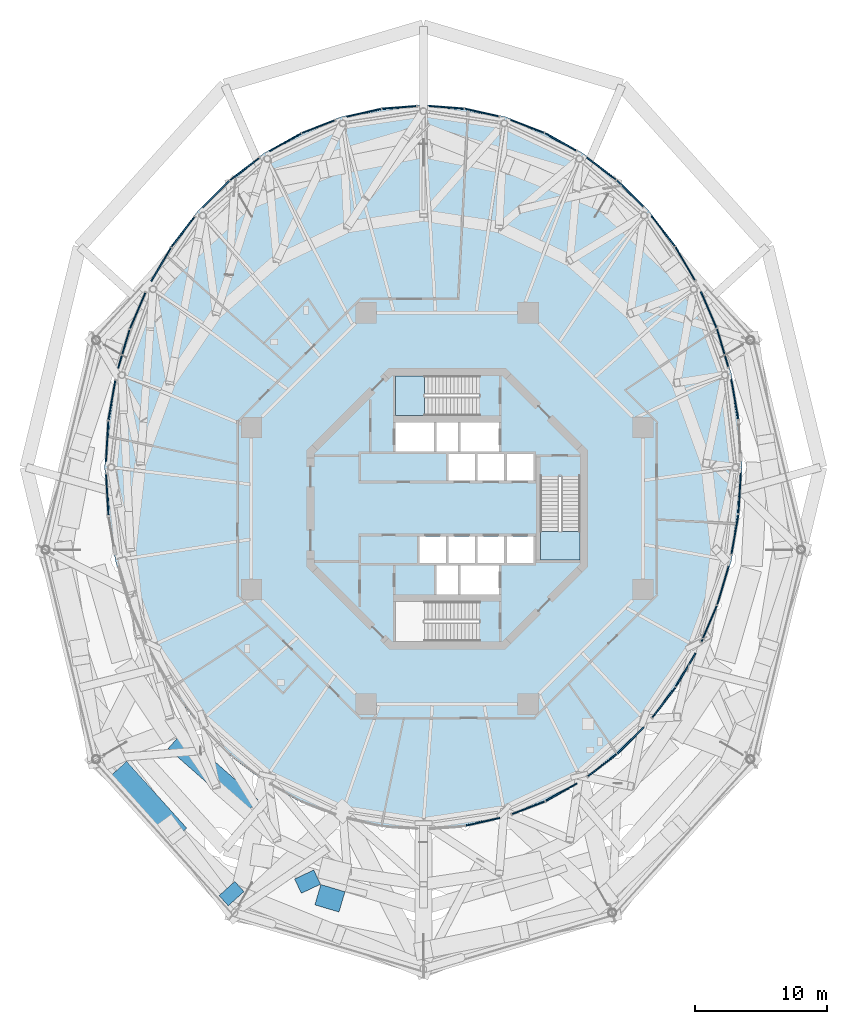
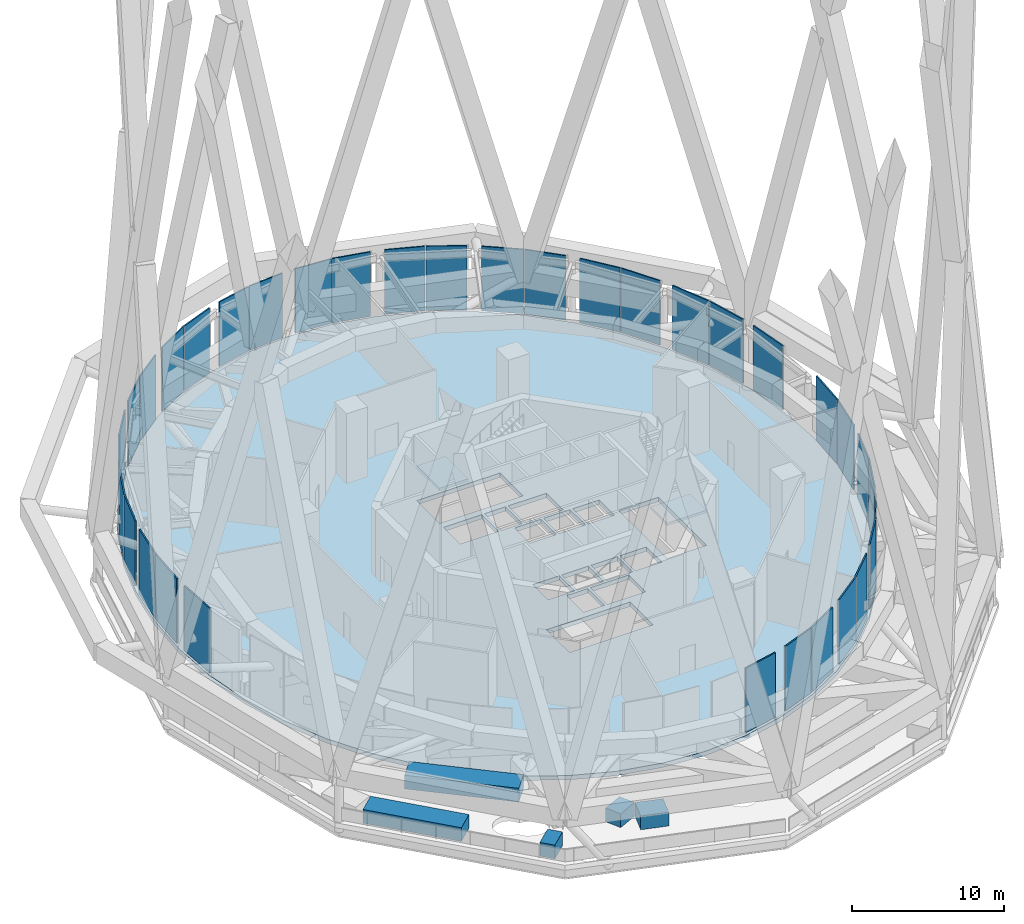
# One storey, part 37 of 48: 35 plates, 5 walls, 3 slabs, 37 elements without a shape of their own.
"""IFC4 building model written with IfcOpenShell, lengths in metres."""

from ifc_helpers import new_model, si_unit, direction, frame, frame_2d, origin, origin_2d, place, context, subcontext, project, spatial, polyline, rectangle, outline, extrude, material, layer, layer_set, type_object, element, aggregate, save


model = new_model("IFC4")

# Units and contexts
model_context = context("Model", 3, precision=1e-05, world=origin(), true_north=direction((0.0, 1.0)))
body_context = subcontext(model_context, "Body", "Model", "MODEL_VIEW")
ifc_project = project(units=[si_unit("LENGTHUNIT", "METRE"), si_unit("AREAUNIT", "SQUARE_METRE"), si_unit("VOLUMEUNIT", "CUBIC_METRE"), si_unit("PLANEANGLEUNIT", "RADIAN"), si_unit("MASSUNIT", "GRAM", prefix="KILO")], contexts=[model_context])

# Site, building, storey
site_placement = place(None, origin())
site = spatial("IfcSite", under=ifc_project, at=site_placement, CompositionType="ELEMENT")
building_placement = place(site_placement, origin())
building = spatial("IfcBuilding", under=site, at=building_placement, Name="Nagisa Residences", CompositionType="ELEMENT")
storey_placement = place(building_placement, frame((0.0, 0.0, 252.89990234375)))
storey = spatial("IfcBuildingStorey", under=building, at=storey_placement, Name="L64", CompositionType="ELEMENT", Elevation=252.89990234375)

# Curtain wall, plate
ifc_material_1 = material(Name="Aluminium curtain wall system", Category="aluminium")
ifc_layer_1 = layer(ifc_material_1, 0.159912109375)
ifc_layer_set_1 = layer_set([ifc_layer_1], Name="CW2 CURTAIN WALL")
curtain_wall_type = type_object("IfcCurtainWallType", Name="CW2 CURTAIN WALL", PredefinedType="NOTDEFINED", material=ifc_layer_set_1)
curtain_wall_1_placement = place(storey_placement, origin())
curtain_wall_1 = element("IfcCurtainWall", 1, at=curtain_wall_1_placement, inside=storey, type_object=curtain_wall_type, Name="cw:CW2:L64:01", PredefinedType="NOTDEFINED")
ifc_material_2 = material(Name="Insulated metal spandrel panel")
ifc_layer_2 = layer(ifc_material_2, 0.10009765625)
ifc_layer_set_2 = layer_set([ifc_layer_2], Name="CW2 SPANDREL PANEL")
plate_type = type_object("IfcPlateType", Name="CW2 SPANDREL PANEL", PredefinedType="SHEET", material=ifc_layer_set_2)
plate_1_placement = place(storey_placement, frame((21.7099609375, 8.253662109375, 0.18017578125), z_axis=(0.0, 0.0, 1.0), x_axis=(-0.172190868898, 0.985063604377, 0.0)))
plate_1 = element("IfcPlate", 2, at=plate_1_placement, type_object=plate_type, Name="CW2 spandrel panel", PredefinedType="SHEET", context=body_context, shape_type="SweptSolid", body=[
    extrude(rectangle(XDim=3.037109375, YDim=0.10009765625, at=origin_2d()), origin(), (0.0, 0.0, 1.0), 5.159912109375),
])
aggregate(curtain_wall_1, [plate_1])

curtain_wall_2_placement = place(storey_placement, origin())
curtain_wall_2 = element("IfcCurtainWall", 3, at=curtain_wall_2_placement, inside=storey, type_object=curtain_wall_type, Name="cw:CW2:L64:02", PredefinedType="NOTDEFINED")
plate_2_placement = place(storey_placement, frame((20.79150390625, 12.134033203125, 0.18017578125), z_axis=(0.0, 0.0, 1.0), x_axis=(-0.285860274038, 0.958271310082, 0.0)))
plate_2 = element("IfcPlate", 4, at=plate_2_placement, type_object=plate_type, Name="CW2 spandrel panel", PredefinedType="SHEET", context=body_context, shape_type="SweptSolid", body=[
    extrude(rectangle(XDim=3.010498046875, YDim=0.10009765625, at=origin_2d()), origin(), (0.0, 0.0, 1.0), 5.159912109375),
])
aggregate(curtain_wall_2, [plate_2])

curtain_wall_3_placement = place(storey_placement, origin())
curtain_wall_3 = element("IfcCurtainWall", 5, at=curtain_wall_3_placement, inside=storey, type_object=curtain_wall_type, Name="cw:CW2:L64:03", PredefinedType="NOTDEFINED")
plate_3_placement = place(storey_placement, frame((19.74169921875, 15.00439453125, 0.18017578125), z_axis=(0.0, 0.0, 1.0), x_axis=(-0.397635934147, 0.917543276295, 0.0)))
plate_3 = element("IfcPlate", 6, at=plate_3_placement, type_object=plate_type, Name="CW2 spandrel panel", PredefinedType="SHEET", context=body_context, shape_type="SweptSolid", body=[
    extrude(rectangle(XDim=2.97216796875, YDim=0.10009765625, at=origin_2d()), origin(), (0.0, 0.0, 1.0), 5.159912109375),
])
aggregate(curtain_wall_3, [plate_3])

curtain_wall_4_placement = place(storey_placement, origin())
curtain_wall_4 = element("IfcCurtainWall", 7, at=curtain_wall_4_placement, inside=storey, type_object=curtain_wall_type, Name="cw:CW2:L64:04", PredefinedType="NOTDEFINED")
plate_4_placement = place(storey_placement, frame((17.967529296875, 18.490234375, 0.18017578125), z_axis=(0.0, 0.0, 1.0), x_axis=(-0.506348567002, 0.862328898214, 0.0)))
plate_4 = element("IfcPlate", 8, at=plate_4_placement, type_object=plate_type, Name="CW2 spandrel panel", PredefinedType="SHEET", context=body_context, shape_type="SweptSolid", body=[
    extrude(rectangle(XDim=2.924560546875, YDim=0.10009765625, at=origin_2d()), origin(), (0.0, 0.0, 1.0), 5.159912109375),
])
aggregate(curtain_wall_4, [plate_4])

curtain_wall_5_placement = place(storey_placement, origin())
curtain_wall_5 = element("IfcCurtainWall", 9, at=curtain_wall_5_placement, inside=storey, type_object=curtain_wall_type, Name="cw:CW2:L64:05", PredefinedType="NOTDEFINED")
plate_5_placement = place(storey_placement, frame((16.3076171875, 20.943115234375, 0.18017578125), z_axis=(0.0, 0.0, 1.0), x_axis=(-0.610429828235, 0.792070340816, 0.0)))
plate_5 = element("IfcPlate", 10, at=plate_5_placement, type_object=plate_type, Name="CW2 spandrel panel", PredefinedType="SHEET", context=body_context, shape_type="SweptSolid", body=[
    extrude(rectangle(XDim=2.870849609375, YDim=0.10009765625, at=origin_2d()), origin(), (0.0, 0.0, 1.0), 5.159912109375),
])
aggregate(curtain_wall_5, [plate_5])

curtain_wall_6_placement = place(storey_placement, origin())
curtain_wall_6 = element("IfcCurtainWall", 11, at=curtain_wall_6_placement, inside=storey, type_object=curtain_wall_type, Name="cw:CW2:L64:06", PredefinedType="NOTDEFINED")
plate_6_placement = place(storey_placement, frame((13.79248046875, 23.797119140625, 0.18017578125), z_axis=(0.0, 0.0, 1.0), x_axis=(-0.707835924016, 0.706376885714, 0.0)))
plate_6 = element("IfcPlate", 12, at=plate_6_placement, type_object=plate_type, Name="CW2 spandrel panel", PredefinedType="SHEET", context=body_context, shape_type="SweptSolid", body=[
    extrude(rectangle(XDim=2.814208984375, YDim=0.10009765625, at=origin_2d()), origin(), (0.0, 0.0, 1.0), 5.159912109375),
])
aggregate(curtain_wall_6, [plate_6])

curtain_wall_7_placement = place(storey_placement, origin())
curtain_wall_7 = element("IfcCurtainWall", 13, at=curtain_wall_7_placement, inside=storey, type_object=curtain_wall_type, Name="cw:CW2:L64:07", PredefinedType="NOTDEFINED")
plate_7_placement = place(storey_placement, frame((11.642822265625, 25.667236328125, 0.18017578125), z_axis=(0.0, 0.0, 1.0), x_axis=(-0.79603132756, 0.605255421737, 0.0)))
plate_7 = element("IfcPlate", 14, at=plate_7_placement, type_object=plate_type, Name="CW2 spandrel panel", PredefinedType="SHEET", context=body_context, shape_type="SweptSolid", body=[
    extrude(rectangle(XDim=2.7587890625, YDim=0.10009765625, at=origin_2d()), origin(), (0.0, 0.0, 1.0), 5.159912109375),
])
aggregate(curtain_wall_7, [plate_7])

curtain_wall_8_placement = place(storey_placement, origin())
curtain_wall_8 = element("IfcCurtainWall", 15, at=curtain_wall_8_placement, inside=storey, type_object=curtain_wall_type, Name="cw:CW2:L64:08", PredefinedType="NOTDEFINED")
plate_8_placement = place(storey_placement, frame((8.552734375, 27.6904296875, 0.18017578125), z_axis=(0.0, 0.0, 1.0), x_axis=(-0.872072377523, 0.489376918501, 0.0)))
plate_8 = element("IfcPlate", 16, at=plate_8_placement, type_object=plate_type, Name="CW2 spandrel panel", PredefinedType="SHEET", context=body_context, shape_type="SweptSolid", body=[
    extrude(rectangle(XDim=2.7080078125, YDim=0.10009765625, at=origin_2d()), origin(), (0.0, 0.0, 1.0), 5.159912109375),
])
aggregate(curtain_wall_8, [plate_8])

curtain_wall_9_placement = place(storey_placement, origin())
curtain_wall_9 = element("IfcCurtainWall", 17, at=curtain_wall_9_placement, inside=storey, type_object=curtain_wall_type, Name="cw:CW2:L64:09", PredefinedType="NOTDEFINED")
plate_9_placement = place(storey_placement, frame((6.064208984375, 28.857177734375, 0.18017578125), z_axis=(0.0, 0.0, 1.0), x_axis=(-0.932825759707, 0.360327770268, 0.0)))
plate_9 = element("IfcPlate", 18, at=plate_9_placement, type_object=plate_type, Name="CW2 spandrel panel", PredefinedType="SHEET", context=body_context, shape_type="SweptSolid", body=[
    extrude(rectangle(XDim=2.666015625, YDim=0.10009765625, at=origin_2d()), origin(), (0.0, 0.0, 1.0), 5.159912109375),
])
aggregate(curtain_wall_9, [plate_9])

curtain_wall_10_placement = place(storey_placement, origin())
curtain_wall_10 = element("IfcCurtainWall", 19, at=curtain_wall_10_placement, inside=storey, type_object=curtain_wall_type, Name="cw:CW2:L64:10", PredefinedType="NOTDEFINED")
plate_10_placement = place(storey_placement, frame((2.609619140625, 29.904296875, 0.18017578125), z_axis=(0.0, 0.0, 1.0), x_axis=(-0.975327274089, 0.2207639201, 0.0)))
plate_10 = element("IfcPlate", 20, at=plate_10_placement, type_object=plate_type, Name="CW2 spandrel panel", PredefinedType="SHEET", context=body_context, shape_type="SweptSolid", body=[
    extrude(rectangle(XDim=2.63623046875, YDim=0.10009765625, at=origin_2d()), origin(), (0.0, 0.0, 1.0), 5.159912109375),
])
aggregate(curtain_wall_10, [plate_10])

curtain_wall_11_placement = place(storey_placement, origin())
curtain_wall_11 = element("IfcCurtainWall", 21, at=curtain_wall_11_placement, inside=storey, type_object=curtain_wall_type, Name="cw:CW2:L64:11", PredefinedType="NOTDEFINED")
plate_11_placement = place(storey_placement, frame((-0.050537109375, 30.296875, 0.18017578125), z_axis=(0.0, 0.0, 1.0), x_axis=(-0.997230168512, 0.074377355493, 0.0)))
plate_11 = element("IfcPlate", 22, at=plate_11_placement, type_object=plate_type, Name="CW2 spandrel panel", PredefinedType="SHEET", context=body_context, shape_type="SweptSolid", body=[
    extrude(rectangle(XDim=2.62060546875, YDim=0.10009765625, at=origin_2d()), origin(), (0.0, 0.0, 1.0), 5.159912109375),
])
aggregate(curtain_wall_11, [plate_11])

curtain_wall_12_placement = place(storey_placement, origin())
curtain_wall_12 = element("IfcCurtainWall", 23, at=curtain_wall_12_placement, inside=storey, type_object=curtain_wall_type, Name="cw:CW2:L64:12", PredefinedType="NOTDEFINED")
plate_12_placement = place(storey_placement, frame((-3.629150390625, 30.291015625, 0.18017578125), z_axis=(0.0, 0.0, 1.0), x_axis=(-0.997230168512, -0.074377355493, 0.0)))
plate_12 = element("IfcPlate", 24, at=plate_12_placement, type_object=plate_type, Name="CW2 spandrel panel", PredefinedType="SHEET", context=body_context, shape_type="SweptSolid", body=[
    extrude(rectangle(XDim=2.62060546875, YDim=0.10009765625, at=origin_2d()), origin(), (0.0, 0.0, 1.0), 5.159912109375),
])
aggregate(curtain_wall_12, [plate_12])

curtain_wall_13_placement = place(storey_placement, origin())
curtain_wall_13 = element("IfcCurtainWall", 25, at=curtain_wall_13_placement, inside=storey, type_object=curtain_wall_type, Name="cw:CW2:L64:13", PredefinedType="NOTDEFINED")
plate_13_placement = place(storey_placement, frame((-6.28759765625, 29.88671875, 0.18017578125), z_axis=(0.0, 0.0, 1.0), x_axis=(-0.975327274089, -0.2207639201, 0.0)))
plate_13 = element("IfcPlate", 26, at=plate_13_placement, type_object=plate_type, Name="CW2 spandrel panel", PredefinedType="SHEET", context=body_context, shape_type="SweptSolid", body=[
    extrude(rectangle(XDim=2.63623046875, YDim=0.10009765625, at=origin_2d()), origin(), (0.0, 0.0, 1.0), 5.159912109375),
])
aggregate(curtain_wall_13, [plate_13])

curtain_wall_14_placement = place(storey_placement, origin())
curtain_wall_14 = element("IfcCurtainWall", 27, at=curtain_wall_14_placement, inside=storey, type_object=curtain_wall_type, Name="cw:CW2:L64:14", PredefinedType="NOTDEFINED")
plate_14_placement = place(storey_placement, frame((-9.73876953125, 28.828369140625, 0.18017578125), z_axis=(0.0, 0.0, 1.0), x_axis=(-0.932825759707, -0.360327770268, 0.0)))
plate_14 = element("IfcPlate", 28, at=plate_14_placement, type_object=plate_type, Name="CW2 spandrel panel", PredefinedType="SHEET", context=body_context, shape_type="SweptSolid", body=[
    extrude(rectangle(XDim=2.666015625, YDim=0.10009765625, at=origin_2d()), origin(), (0.0, 0.0, 1.0), 5.159912109375),
])
aggregate(curtain_wall_14, [plate_14])

curtain_wall_15_placement = place(storey_placement, origin())
curtain_wall_15 = element("IfcCurtainWall", 29, at=curtain_wall_15_placement, inside=storey, type_object=curtain_wall_type, Name="cw:CW2:L64:15", PredefinedType="NOTDEFINED")
plate_15_placement = place(storey_placement, frame((-12.22265625, 27.651123046875, 0.18017578125), z_axis=(0.0, 0.0, 1.0), x_axis=(-0.872072377523, -0.489376918501, 0.0)))
plate_15 = element("IfcPlate", 30, at=plate_15_placement, type_object=plate_type, Name="CW2 spandrel panel", PredefinedType="SHEET", context=body_context, shape_type="SweptSolid", body=[
    extrude(rectangle(XDim=2.7080078125, YDim=0.10009765625, at=origin_2d()), origin(), (0.0, 0.0, 1.0), 5.159912109375),
])
aggregate(curtain_wall_15, [plate_15])

curtain_wall_16_placement = place(storey_placement, origin())
curtain_wall_16 = element("IfcCurtainWall", 31, at=curtain_wall_16_placement, inside=storey, type_object=curtain_wall_type, Name="cw:CW2:L64:16", PredefinedType="NOTDEFINED")
plate_16_placement = place(storey_placement, frame((-15.306396484375, 25.618896484375, 0.18017578125), z_axis=(0.0, 0.0, 1.0), x_axis=(-0.79603132756, -0.605255421737, 0.0)))
plate_16 = element("IfcPlate", 32, at=plate_16_placement, type_object=plate_type, Name="CW2 spandrel panel", PredefinedType="SHEET", context=body_context, shape_type="SweptSolid", body=[
    extrude(rectangle(XDim=2.7587890625, YDim=0.10009765625, at=origin_2d()), origin(), (0.0, 0.0, 1.0), 5.159912109375),
])
aggregate(curtain_wall_16, [plate_16])

curtain_wall_17_placement = place(storey_placement, origin())
curtain_wall_17 = element("IfcCurtainWall", 33, at=curtain_wall_17_placement, inside=storey, type_object=curtain_wall_type, Name="cw:CW2:L64:17", PredefinedType="NOTDEFINED")
plate_17_placement = place(storey_placement, frame((-17.448974609375, 23.740478515625, 0.18017578125), z_axis=(0.0, 0.0, 1.0), x_axis=(-0.707835924016, -0.706376885714, 0.0)))
plate_17 = element("IfcPlate", 34, at=plate_17_placement, type_object=plate_type, Name="CW2 spandrel panel", PredefinedType="SHEET", context=body_context, shape_type="SweptSolid", body=[
    extrude(rectangle(XDim=2.814208984375, YDim=0.10009765625, at=origin_2d()), origin(), (0.0, 0.0, 1.0), 5.159912109375),
])
aggregate(curtain_wall_17, [plate_17])

curtain_wall_18_placement = place(storey_placement, origin())
curtain_wall_18 = element("IfcCurtainWall", 35, at=curtain_wall_18_placement, inside=storey, type_object=curtain_wall_type, Name="cw:CW2:L64:18", PredefinedType="NOTDEFINED")
plate_18_placement = place(storey_placement, frame((-19.95654296875, 20.8798828125, 0.18017578125), z_axis=(0.0, 0.0, 1.0), x_axis=(-0.610429828235, -0.792070340816, 0.0)))
plate_18 = element("IfcPlate", 36, at=plate_18_placement, type_object=plate_type, Name="CW2 spandrel panel", PredefinedType="SHEET", context=body_context, shape_type="SweptSolid", body=[
    extrude(rectangle(XDim=2.870849609375, YDim=0.10009765625, at=origin_2d()), origin(), (0.0, 0.0, 1.0), 5.159912109375),
])
aggregate(curtain_wall_18, [plate_18])

curtain_wall_19_placement = place(storey_placement, origin())
curtain_wall_19 = element("IfcCurtainWall", 37, at=curtain_wall_19_placement, inside=storey, type_object=curtain_wall_type, Name="cw:CW2:L64:19", PredefinedType="NOTDEFINED")
plate_19_placement = place(storey_placement, frame((-21.60791015625, 18.421142578125, 0.18017578125), z_axis=(0.0, 0.0, 1.0), x_axis=(-0.506348567002, -0.862328898214, 0.0)))
plate_19 = element("IfcPlate", 38, at=plate_19_placement, type_object=plate_type, Name="CW2 spandrel panel", PredefinedType="SHEET", context=body_context, shape_type="SweptSolid", body=[
    extrude(rectangle(XDim=2.924560546875, YDim=0.10009765625, at=origin_2d()), origin(), (0.0, 0.0, 1.0), 5.159912109375),
])
aggregate(curtain_wall_19, [plate_19])

curtain_wall_20_placement = place(storey_placement, origin())
curtain_wall_20 = element("IfcCurtainWall", 39, at=curtain_wall_20_placement, inside=storey, type_object=curtain_wall_type, Name="cw:CW2:L64:20", PredefinedType="NOTDEFINED")
plate_20_placement = place(storey_placement, frame((-23.37353515625, 14.93115234375, 0.18017578125), z_axis=(0.0, 0.0, 1.0), x_axis=(-0.397635934147, -0.917543276295, 0.0)))
plate_20 = element("IfcPlate", 40, at=plate_20_placement, type_object=plate_type, Name="CW2 spandrel panel", PredefinedType="SHEET", context=body_context, shape_type="SweptSolid", body=[
    extrude(rectangle(XDim=2.97216796875, YDim=0.10009765625, at=origin_2d()), origin(), (0.0, 0.0, 1.0), 5.159912109375),
])
aggregate(curtain_wall_20, [plate_20])

curtain_wall_21_placement = place(storey_placement, origin())
curtain_wall_21 = element("IfcCurtainWall", 41, at=curtain_wall_21_placement, inside=storey, type_object=curtain_wall_type, Name="cw:CW2:L64:21", PredefinedType="NOTDEFINED")
plate_21_placement = place(storey_placement, frame((-24.414306640625, 12.057373046875, 0.18017578125), z_axis=(0.0, 0.0, 1.0), x_axis=(-0.285860274038, -0.958271310082, 0.0)))
plate_21 = element("IfcPlate", 42, at=plate_21_placement, type_object=plate_type, Name="CW2 spandrel panel", PredefinedType="SHEET", context=body_context, shape_type="SweptSolid", body=[
    extrude(rectangle(XDim=3.010498046875, YDim=0.10009765625, at=origin_2d()), origin(), (0.0, 0.0, 1.0), 5.159912109375),
])
aggregate(curtain_wall_21, [plate_21])

curtain_wall_22_placement = place(storey_placement, origin())
curtain_wall_22 = element("IfcCurtainWall", 43, at=curtain_wall_22_placement, inside=storey, type_object=curtain_wall_type, Name="cw:CW2:L64:22", PredefinedType="NOTDEFINED")
plate_22_placement = place(storey_placement, frame((-25.32373046875, 8.175048828125, 0.18017578125), z_axis=(0.0, 0.0, 1.0), x_axis=(-0.172190868898, -0.985063604377, 0.0)))
plate_22 = element("IfcPlate", 44, at=plate_22_placement, type_object=plate_type, Name="CW2 spandrel panel", PredefinedType="SHEET", context=body_context, shape_type="SweptSolid", body=[
    extrude(rectangle(XDim=3.037109375, YDim=0.10009765625, at=origin_2d()), origin(), (0.0, 0.0, 1.0), 5.159912109375),
])
aggregate(curtain_wall_22, [plate_22])

curtain_wall_23_placement = place(storey_placement, origin())
curtain_wall_23 = element("IfcCurtainWall", 45, at=curtain_wall_23_placement, inside=storey, type_object=curtain_wall_type, Name="cw:CW2:L64:23", PredefinedType="NOTDEFINED")
plate_23_placement = place(storey_placement, frame((-25.676513671875, 5.08544921875, 0.18017578125), z_axis=(0.0, 0.0, 1.0), x_axis=(-0.057503492216, -0.998345305184, 0.0)))
plate_23 = element("IfcPlate", 46, at=plate_23_placement, type_object=plate_type, Name="CW2 spandrel panel", PredefinedType="SHEET", context=body_context, shape_type="SweptSolid", body=[
    extrude(rectangle(XDim=3.051025390625, YDim=0.10009765625, at=origin_2d()), origin(), (0.0, 0.0, 1.0), 5.159912109375),
])
aggregate(curtain_wall_23, [plate_23])

curtain_wall_24_placement = place(storey_placement, origin())
curtain_wall_24 = element("IfcCurtainWall", 47, at=curtain_wall_24_placement, inside=storey, type_object=curtain_wall_type, Name="cw:CW2:L64:24", PredefinedType="NOTDEFINED")
plate_24_placement = place(storey_placement, frame((-25.671875, 1.070068359375, 0.18017578125), z_axis=(0.0, 0.0, 1.0), x_axis=(0.057503492216, -0.998345305184, 0.0)))
plate_24 = element("IfcPlate", 48, at=plate_24_placement, type_object=plate_type, Name="CW2 spandrel panel", PredefinedType="SHEET", context=body_context, shape_type="SweptSolid", body=[
    extrude(rectangle(XDim=3.051025390625, YDim=0.10009765625, at=origin_2d()), origin(), (0.0, 0.0, 1.0), 5.159912109375),
])
aggregate(curtain_wall_24, [plate_24])

curtain_wall_25_placement = place(storey_placement, origin())
curtain_wall_25 = element("IfcCurtainWall", 49, at=curtain_wall_25_placement, inside=storey, type_object=curtain_wall_type, Name="cw:CW2:L64:37", PredefinedType="NOTDEFINED")
plate_25_placement = place(storey_placement, frame((2.687744140625, -23.6513671875, 0.18017578125), z_axis=(0.0, 0.0, 1.0), x_axis=(0.975327274089, 0.2207639201, 0.0)))
plate_25 = element("IfcPlate", 50, at=plate_25_placement, type_object=plate_type, Name="CW2 spandrel panel", PredefinedType="SHEET", context=body_context, shape_type="SweptSolid", body=[
    extrude(rectangle(XDim=2.63623046875, YDim=0.10009765625, at=origin_2d()), origin(), (0.0, 0.0, 1.0), 5.159912109375),
])
aggregate(curtain_wall_25, [plate_25])

curtain_wall_26_placement = place(storey_placement, origin())
curtain_wall_26 = element("IfcCurtainWall", 51, at=curtain_wall_26_placement, inside=storey, type_object=curtain_wall_type, Name="cw:CW2:L64:38", PredefinedType="NOTDEFINED")
plate_26_placement = place(storey_placement, frame((6.138916015625, -22.593017578125, 0.18017578125), z_axis=(0.0, 0.0, 1.0), x_axis=(0.932825759707, 0.360327770268, 0.0)))
plate_26 = element("IfcPlate", 52, at=plate_26_placement, type_object=plate_type, Name="CW2 spandrel panel", PredefinedType="SHEET", context=body_context, shape_type="SweptSolid", body=[
    extrude(rectangle(XDim=2.666015625, YDim=0.10009765625, at=origin_2d()), origin(), (0.0, 0.0, 1.0), 5.159912109375),
])
aggregate(curtain_wall_26, [plate_26])

curtain_wall_27_placement = place(storey_placement, origin())
curtain_wall_27 = element("IfcCurtainWall", 53, at=curtain_wall_27_placement, inside=storey, type_object=curtain_wall_type, Name="cw:CW2:L64:39", PredefinedType="NOTDEFINED")
plate_27_placement = place(storey_placement, frame((8.62255859375, -21.415771484375, 0.18017578125), z_axis=(0.0, 0.0, 1.0), x_axis=(0.872072377523, 0.489376918501, 0.0)))
plate_27 = element("IfcPlate", 54, at=plate_27_placement, type_object=plate_type, Name="CW2 spandrel panel", PredefinedType="SHEET", context=body_context, shape_type="SweptSolid", body=[
    extrude(rectangle(XDim=2.7080078125, YDim=0.10009765625, at=origin_2d()), origin(), (0.0, 0.0, 1.0), 5.159912109375),
])
aggregate(curtain_wall_27, [plate_27])

curtain_wall_28_placement = place(storey_placement, origin())
curtain_wall_28 = element("IfcCurtainWall", 55, at=curtain_wall_28_placement, inside=storey, type_object=curtain_wall_type, Name="cw:CW2:L64:40", PredefinedType="NOTDEFINED")
plate_28_placement = place(storey_placement, frame((11.70654296875, -19.383544921875, 0.18017578125), z_axis=(0.0, 0.0, 1.0), x_axis=(0.79603132756, 0.605255421737, 0.0)))
plate_28 = element("IfcPlate", 56, at=plate_28_placement, type_object=plate_type, Name="CW2 spandrel panel", PredefinedType="SHEET", context=body_context, shape_type="SweptSolid", body=[
    extrude(rectangle(XDim=2.7587890625, YDim=0.10009765625, at=origin_2d()), origin(), (0.0, 0.0, 1.0), 5.159912109375),
])
aggregate(curtain_wall_28, [plate_28])

curtain_wall_29_placement = place(storey_placement, origin())
curtain_wall_29 = element("IfcCurtainWall", 57, at=curtain_wall_29_placement, inside=storey, type_object=curtain_wall_type, Name="cw:CW2:L64:41", PredefinedType="NOTDEFINED")
plate_29_placement = place(storey_placement, frame((13.84912109375, -17.505126953125, 0.18017578125), z_axis=(0.0, 0.0, 1.0), x_axis=(0.707835924016, 0.706376885714, 0.0)))
plate_29 = element("IfcPlate", 58, at=plate_29_placement, type_object=plate_type, Name="CW2 spandrel panel", PredefinedType="SHEET", context=body_context, shape_type="SweptSolid", body=[
    extrude(rectangle(XDim=2.814208984375, YDim=0.10009765625, at=origin_2d()), origin(), (0.0, 0.0, 1.0), 5.159912109375),
])
aggregate(curtain_wall_29, [plate_29])

curtain_wall_30_placement = place(storey_placement, origin())
curtain_wall_30 = element("IfcCurtainWall", 59, at=curtain_wall_30_placement, inside=storey, type_object=curtain_wall_type, Name="cw:CW2:L64:42", PredefinedType="NOTDEFINED")
plate_30_placement = place(storey_placement, frame((16.3564453125, -14.644287109375, 0.18017578125), z_axis=(0.0, 0.0, 1.0), x_axis=(0.610429828235, 0.792070340816, 0.0)))
plate_30 = element("IfcPlate", 60, at=plate_30_placement, type_object=plate_type, Name="CW2 spandrel panel", PredefinedType="SHEET", context=body_context, shape_type="SweptSolid", body=[
    extrude(rectangle(XDim=2.870849609375, YDim=0.10009765625, at=origin_2d()), origin(), (0.0, 0.0, 1.0), 5.159912109375),
])
aggregate(curtain_wall_30, [plate_30])

curtain_wall_31_placement = place(storey_placement, origin())
curtain_wall_31 = element("IfcCurtainWall", 61, at=curtain_wall_31_placement, inside=storey, type_object=curtain_wall_type, Name="cw:CW2:L64:43", PredefinedType="NOTDEFINED")
plate_31_placement = place(storey_placement, frame((18.008056640625, -12.185791015625, 0.18017578125), z_axis=(0.0, 0.0, 1.0), x_axis=(0.506348567002, 0.862328898214, 0.0)))
plate_31 = element("IfcPlate", 62, at=plate_31_placement, type_object=plate_type, Name="CW2 spandrel panel", PredefinedType="SHEET", context=body_context, shape_type="SweptSolid", body=[
    extrude(rectangle(XDim=2.924560546875, YDim=0.10009765625, at=origin_2d()), origin(), (0.0, 0.0, 1.0), 5.159912109375),
])
aggregate(curtain_wall_31, [plate_31])

curtain_wall_32_placement = place(storey_placement, origin())
curtain_wall_32 = element("IfcCurtainWall", 63, at=curtain_wall_32_placement, inside=storey, type_object=curtain_wall_type, Name="cw:CW2:L64:44", PredefinedType="NOTDEFINED")
plate_32_placement = place(storey_placement, frame((19.7734375, -8.69580078125, 0.18017578125), z_axis=(0.0, 0.0, 1.0), x_axis=(0.397635934147, 0.917543276295, 0.0)))
plate_32 = element("IfcPlate", 64, at=plate_32_placement, type_object=plate_type, Name="CW2 spandrel panel", PredefinedType="SHEET", context=body_context, shape_type="SweptSolid", body=[
    extrude(rectangle(XDim=2.97216796875, YDim=0.10009765625, at=origin_2d()), origin(), (0.0, 0.0, 1.0), 5.159912109375),
])
aggregate(curtain_wall_32, [plate_32])

curtain_wall_33_placement = place(storey_placement, origin())
curtain_wall_33 = element("IfcCurtainWall", 65, at=curtain_wall_33_placement, inside=storey, type_object=curtain_wall_type, Name="cw:CW2:L64:45", PredefinedType="NOTDEFINED")
plate_33_placement = place(storey_placement, frame((20.814208984375, -5.822021484375, 0.18017578125), z_axis=(0.0, 0.0, 1.0), x_axis=(0.285860274038, 0.958271310082, 0.0)))
plate_33 = element("IfcPlate", 66, at=plate_33_placement, type_object=plate_type, Name="CW2 spandrel panel", PredefinedType="SHEET", context=body_context, shape_type="SweptSolid", body=[
    extrude(rectangle(XDim=3.010498046875, YDim=0.10009765625, at=origin_2d()), origin(), (0.0, 0.0, 1.0), 5.159912109375),
])
aggregate(curtain_wall_33, [plate_33])

curtain_wall_34_placement = place(storey_placement, origin())
curtain_wall_34 = element("IfcCurtainWall", 67, at=curtain_wall_34_placement, inside=storey, type_object=curtain_wall_type, Name="cw:CW2:L64:46", PredefinedType="NOTDEFINED")
plate_34_placement = place(storey_placement, frame((21.723876953125, -1.939453125, 0.18017578125), z_axis=(0.0, 0.0, 1.0), x_axis=(0.172190868898, 0.985063604377, 0.0)))
plate_34 = element("IfcPlate", 68, at=plate_34_placement, type_object=plate_type, Name="CW2 spandrel panel", PredefinedType="SHEET", context=body_context, shape_type="SweptSolid", body=[
    extrude(rectangle(XDim=3.037109375, YDim=0.10009765625, at=origin_2d()), origin(), (0.0, 0.0, 1.0), 5.159912109375),
])
aggregate(curtain_wall_34, [plate_34])

curtain_wall_35_placement = place(storey_placement, origin())
curtain_wall_35 = element("IfcCurtainWall", 69, at=curtain_wall_35_placement, inside=storey, type_object=curtain_wall_type, Name="cw:CW2:L64:47", PredefinedType="NOTDEFINED")
plate_35_placement = place(storey_placement, frame((22.076416015625, 1.150146484375, 0.18017578125), z_axis=(0.0, 0.0, 1.0), x_axis=(0.057503492216, 0.998345305184, 0.0)))
plate_35 = element("IfcPlate", 70, at=plate_35_placement, type_object=plate_type, Name="CW2 spandrel panel", PredefinedType="SHEET", context=body_context, shape_type="SweptSolid", body=[
    extrude(rectangle(XDim=3.051025390625, YDim=0.10009765625, at=origin_2d()), origin(), (0.0, 0.0, 1.0), 5.159912109375),
])
aggregate(curtain_wall_35, [plate_35])

# Slab
ifc_material_3 = material(Name="Concrete C40", Category="concrete")
ifc_layer_3 = layer(ifc_material_3, 0.35009765625)
ifc_layer_set_3 = layer_set([ifc_layer_3], Name="Floor slab 350")
slab_type_1 = type_object("IfcSlabType", Name="Floor slab 350", PredefinedType="FLOOR", material=ifc_layer_set_3)
slab_1_placement = place(storey_placement, frame((0.0, 0.0, -0.349853515625)))
element("IfcSlab", 71, at=slab_1_placement, inside=storey, type_object=slab_type_1, Name="slab:L64:floor", PredefinedType="FLOOR", context=body_context, shape_type="SweptSolid", body=[
    extrude(outline(polyline([(22.27001953125, 3.11767578125), (22.06396484375, 6.69287109375), (21.449951171875, 10.206787109375), (20.437744140625, 13.599365234375), (19.045166015625, 16.812744140625), (17.2958984375, 19.791748046875), (15.219970703125, 22.4853515625), (12.852783203125, 24.84765625), (10.235107421875, 26.838134765625), (7.4111328125, 28.4228515625), (4.4296875, 29.574462890625), (1.341796875, 30.2734375), (-1.800048828125, 30.5078125), (-4.941650390625, 30.2734375), (-8.02978515625, 29.574462890625), (-11.01123046875, 28.4228515625), (-13.8349609375, 26.838134765625), (-16.452880859375, 24.84765625), (-18.820068359375, 22.4853515625), (-20.89599609375, 19.791748046875), (-22.645263671875, 16.812744140625), (-24.037841796875, 13.599365234375), (-25.0498046875, 10.206787109375), (-25.6640625, 6.69287109375), (-25.8701171875, 3.11767578125), (-25.6640625, -0.45751953125), (-25.0498046875, -3.971435546875), (-24.037841796875, -7.364013671875), (-22.645263671875, -10.577392578125), (-20.89599609375, -13.556396484375), (-18.820068359375, -16.25), (-16.452880859375, -18.6123046875), (-13.8349609375, -20.602783203125), (-11.01123046875, -22.187255859375), (-8.02978515625, -23.339111328125), (-4.941650390625, -24.0380859375), (-1.800048828125, -24.272216796875), (1.341796875, -24.0380859375), (4.4296875, -23.339111328125), (7.4111328125, -22.187255859375), (10.235107421875, -20.602783203125), (12.852783203125, -18.6123046875), (15.219970703125, -16.25), (17.2958984375, -13.556396484375), (19.045166015625, -10.577392578125), (20.437744140625, -7.364013671875), (21.449951171875, -3.971435546875), (22.06396484375, -0.45751953125), (22.27001953125, 3.11767578125)]), holes=[polyline([(2.10009765625, 2.10009765625), (2.10009765625, 4.10009765625), (0.10009765625, 4.10009765625), (0.10009765625, 2.10009765625), (2.10009765625, 2.10009765625)]), polyline([(4.300048828125, 2.10009765625), (4.300048828125, 4.10009765625), (2.300048828125, 4.10009765625), (2.300048828125, 2.10009765625), (4.300048828125, 2.10009765625)]), polyline([(6.5, 2.10009765625), (6.5, 4.10009765625), (4.5, 4.10009765625), (4.5, 2.10009765625), (6.5, 2.10009765625)]), polyline([(-0.10009765625, -4.10009765625), (-0.10009765625, -2.10009765625), (-2.10009765625, -2.10009765625), (-2.10009765625, -4.10009765625), (-0.10009765625, -4.10009765625)]), polyline([(2.10009765625, -4.10009765625), (2.10009765625, -2.10009765625), (0.10009765625, -2.10009765625), (0.10009765625, -4.10009765625), (2.10009765625, -4.10009765625)]), polyline([(4.300048828125, -4.10009765625), (4.300048828125, -2.10009765625), (2.300048828125, -2.10009765625), (2.300048828125, -4.10009765625), (4.300048828125, -4.10009765625)]), polyline([(6.5, -4.10009765625), (6.5, -2.10009765625), (4.5, -2.10009765625), (4.5, -4.10009765625), (6.5, -4.10009765625)]), polyline([(3.89990234375, 4.300048828125), (3.89990234375, 6.5), (1.0, 6.5), (1.0, 4.300048828125), (3.89990234375, 4.300048828125)]), polyline([(3.89990234375, -6.5), (3.89990234375, -4.300048828125), (1.0, -4.300048828125), (1.0, -6.5), (3.89990234375, -6.5)]), polyline([(-1.0, 4.300048828125), (-1.0, 6.5), (-3.89990234375, 6.5), (-3.89990234375, 4.300048828125), (-1.0, 4.300048828125)]), polyline([(0.800048828125, 4.300048828125), (0.800048828125, 6.5), (-0.800048828125, 6.5), (-0.800048828125, 4.300048828125), (0.800048828125, 4.300048828125)]), polyline([(0.800048828125, -6.5), (0.800048828125, -4.300048828125), (-0.800048828125, -4.300048828125), (-0.800048828125, -6.5), (0.800048828125, -6.5)]), polyline([(10.024658203125, -3.89990234375), (7.024658203125, -3.89990234375), (7.024658203125, 2.425048828125), (10.024658203125, 2.425048828125), (10.024658203125, -3.89990234375)]), polyline([(-3.89990234375, 7.024658203125), (-3.89990234375, 10.024658203125), (2.425048828125, 10.024658203125), (2.425048828125, 7.024658203125), (-3.89990234375, 7.024658203125)]), polyline([(-3.89990234375, -10.024658203125), (-3.89990234375, -7.024658203125), (2.425048828125, -7.024658203125), (2.425048828125, -10.024658203125), (-3.89990234375, -10.024658203125)])]), origin(), (0.0, 0.0, 1.0), 0.349853515625),
])

# Stair, slab
ifc_material_4 = material(Name="Concrete C60", Category="concrete")
stair_type = type_object("IfcStairType", Name="Exit stair", PredefinedType="HALF_TURN_STAIR", material=ifc_material_4)
stair_1_placement = place(storey_placement, origin())
stair_1 = element("IfcStair", 72, at=stair_1_placement, inside=storey, type_object=stair_type, Name="L64 Exit stair E", PredefinedType="HALF_TURN_STAIR")
ifc_material_5 = material(Name="Concrete C60", Category="concrete")
ifc_layer_4 = layer(ifc_material_5, 0.199951171875)
ifc_layer_set_4 = layer_set([ifc_layer_4], Name="Stair landing")
slab_type_2 = type_object("IfcSlabType", Name="Stair landing", PredefinedType="LANDING", material=ifc_layer_set_4)
slab_2_placement = place(storey_placement, frame((0.0, 0.0, 2.60009765625)))
slab_2 = element("IfcSlab", 73, at=slab_2_placement, type_object=slab_type_2, Name="ST-E landing 1", PredefinedType="LANDING", context=body_context, shape_type="SweptSolid", body=[
    extrude(outline(polyline([(7.024658203125, -1.72509765625), (7.024658203125, -3.89990234375), (10.024658203125, -3.89990234375), (10.024658203125, -1.72509765625), (7.024658203125, -1.72509765625)])), origin(), (0.0, 0.0, 1.0), 0.199951171875),
])
aggregate(stair_1, [slab_2])

stair_2_placement = place(storey_placement, origin())
stair_2 = element("IfcStair", 74, at=stair_2_placement, inside=storey, type_object=stair_type, Name="L64 Exit stair N", PredefinedType="HALF_TURN_STAIR")
slab_3_placement = place(storey_placement, frame((0.0, 0.0, 2.60009765625)))
slab_3 = element("IfcSlab", 75, at=slab_3_placement, type_object=slab_type_2, Name="ST-N landing 1", PredefinedType="LANDING", context=body_context, shape_type="SweptSolid", body=[
    extrude(outline(polyline([(-1.72509765625, 10.024658203125), (-3.89990234375, 10.024658203125), (-3.89990234375, 7.024658203125), (-1.72509765625, 7.024658203125), (-1.72509765625, 10.024658203125)])), origin(), (0.0, 0.0, 1.0), 0.199951171875),
])
aggregate(stair_2, [slab_3])

# Walls
ifc_material_6 = material(Name="Precast concrete C30/37", Category="concrete")
ifc_layer_5 = layer(ifc_material_6, 1.60009765625)
ifc_layer_set_5 = layer_set([ifc_layer_5], Name="PLANTER")
wall_type = type_object("IfcWallType", Name="PLANTER", PredefinedType="SOLIDWALL", material=ifc_layer_set_5)
wall_1_placement = place(storey_placement, frame((-20.548828125, -17.5244140625, 0.0), z_axis=(0.0, 0.0, 1.0), x_axis=(0.75035522749, -0.66103481949, 0.0)))
element("IfcWall", 76, at=wall_1_placement, inside=storey, type_object=wall_type, Name="planter:L64:deck006", PredefinedType="SOLIDWALL", context=body_context, shape_type="SweptSolid", body=[
    extrude(rectangle(XDim=7.6533203125, YDim=1.60009765625, at=frame_2d((3.82666015625, 0.0))), origin(), (0.0, 0.0, 1.0), 1.10009765625),
])
wall_2_placement = place(storey_placement, frame((-20.25634765625, -24.66845703125, 0.0), z_axis=(0.0, 0.0, 1.0), x_axis=(-0.669519037775, 0.742794896359, 0.0)))
element("IfcWall", 77, at=wall_2_placement, inside=storey, type_object=wall_type, Name="planter:L64:deck007", PredefinedType="SOLIDWALL", context=body_context, shape_type="SweptSolid", body=[
    extrude(rectangle(XDim=6.786865234375, YDim=1.60009765625, at=frame_2d((3.3935546875, 0.0))), origin(), (0.0, 0.0, 1.0), 1.10009765625),
])
wall_3_placement = place(storey_placement, frame((-15.93994140625, -29.45703125, 0.0), z_axis=(0.0, 0.0, 1.0), x_axis=(-0.669551694423, 0.742765459951, 0.0)))
element("IfcWall", 78, at=wall_3_placement, inside=storey, type_object=wall_type, Name="planter:L64:deck008", PredefinedType="SOLIDWALL", context=body_context, shape_type="SweptSolid", body=[
    extrude(rectangle(XDim=1.03369140625, YDim=1.60009765625, at=frame_2d((0.516845703125, 0.0))), origin(), (0.0, 0.0, 1.0), 1.10009765625),
])
wall_4_placement = place(storey_placement, frame((-10.2900390625, -28.708251953125, 0.0), z_axis=(0.0, 0.0, 1.0), x_axis=(-0.429703335997, 0.902970123001, 0.0)))
element("IfcWall", 79, at=wall_4_placement, inside=storey, type_object=wall_type, Name="planter:L64:deck119", PredefinedType="SOLIDWALL", context=body_context, shape_type="SweptSolid", body=[
    extrude(rectangle(XDim=1.193603515625, YDim=1.60009765625, at=frame_2d((0.5966796875, 0.0))), origin(), (0.0, 0.0, 1.0), 1.10009765625),
])
wall_5_placement = place(storey_placement, frame((-7.944091796875, -29.697265625, 0.0), z_axis=(0.0, 0.0, 1.0), x_axis=(-0.958529724861, 0.284992572813, 0.0)))
element("IfcWall", 80, at=wall_5_placement, inside=storey, type_object=wall_type, Name="planter:L64:deck121", PredefinedType="SOLIDWALL", context=body_context, shape_type="SweptSolid", body=[
    extrude(rectangle(XDim=1.902587890625, YDim=1.60009765625, at=frame_2d((0.951171875, 0.0))), origin(), (0.0, 0.0, 1.0), 1.10009765625),
])

save(model, "model.ifc")
